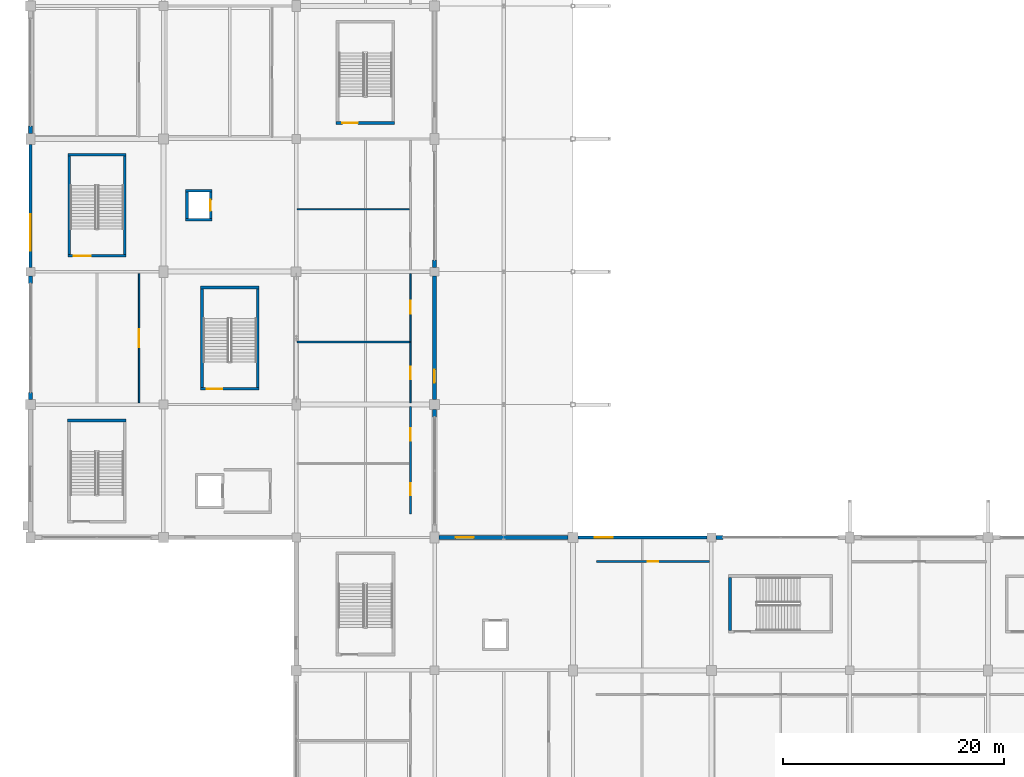
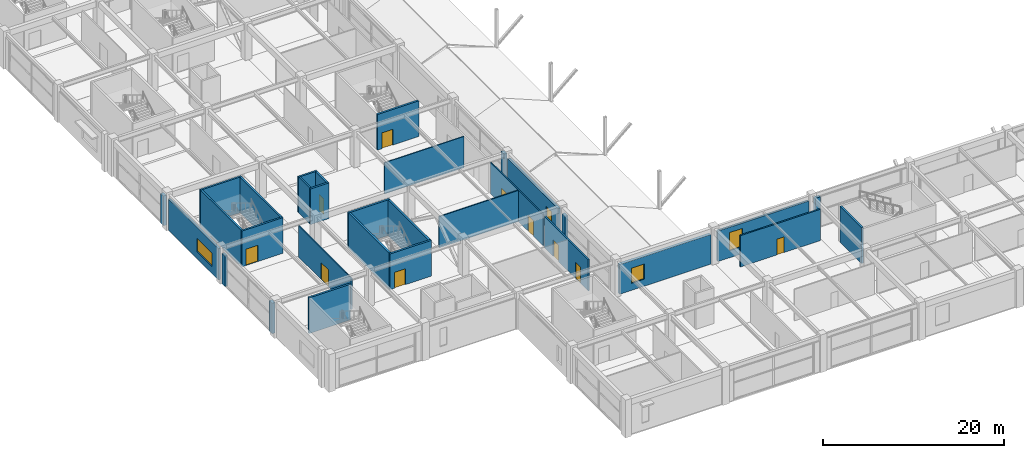
# One storey, part 67 of 116: 31 walls, 10 doors, 4 windows, 14 openings.
"""IFC4 building model written with IfcOpenShell, lengths in metres."""

from ifc_helpers import new_model, si_unit, direction, frame, frame_2d, origin, place, context, subcontext, project, spatial, rectangle, extrude, material, layer, layer_set, type_object, element, fill, save


model = new_model("IFC4")

# Units and contexts
model_context = context("Model", 3, precision=1e-05, world=origin(), true_north=direction((0.0, 1.0)))
body_context = subcontext(model_context, "Body", "Model", "MODEL_VIEW")
ifc_project = project(units=[si_unit("LENGTHUNIT", "METRE"), si_unit("AREAUNIT", "SQUARE_METRE"), si_unit("VOLUMEUNIT", "CUBIC_METRE"), si_unit("PLANEANGLEUNIT", "RADIAN"), si_unit("MASSUNIT", "GRAM", prefix="KILO")], contexts=[model_context])

# Site, building, storey
site_placement = place(None, origin())
site = spatial("IfcSite", under=ifc_project, at=site_placement, CompositionType="ELEMENT")
building_placement = place(site_placement, origin())
building = spatial("IfcBuilding", under=site, at=building_placement, Name="Kazenohara Klinker Stadium", CompositionType="ELEMENT")
storey_placement = place(building_placement, frame((0.0, 0.0, 10.199951171875)))
storey = spatial("IfcBuildingStorey", under=building, at=storey_placement, Name="L02", CompositionType="ELEMENT", Elevation=10.199951171875)

# Wall, opening, door
ifc_material_1 = material(Name="Concrete C40/50", Category="concrete")
ifc_layer_1 = layer(ifc_material_1, 0.22998046875)
ifc_layer_set_1 = layer_set([ifc_layer_1], Name="Concrete C40/50")
wall_type_1 = type_object("IfcWallType", Name="WAL-CORE-230", PredefinedType="SHEAR", material=ifc_layer_set_1)
wall_1_placement = place(storey_placement, frame((3.3701171875, 61.43505859375, 0.0), z_axis=(0.0, 0.0, 1.0), x_axis=(1.0, 0.0, 0.0)))
wall_1 = element("IfcWall", 1, at=wall_1_placement, inside=storey, type_object=wall_type_1, Name="Stairwell shear wall ST02 L02 South", PredefinedType="SHEAR", context=body_context, shape_type="SweptSolid", body=[
    extrude(rectangle(XDim=5.259765625, YDim=0.22998046875, at=frame_2d((2.6298828125, 0.0))), origin(), (0.0, 0.0, 1.0), 4.820068359375),
])
opening_1_placement = place(wall_1_placement, frame((0.550048828125, 0.0, 0.0)))
opening_1 = element("IfcOpeningElement", 2, at=opening_1_placement, cuts=wall_1, Name="Opening SD02", PredefinedType="OPENING", context=body_context, shape_type="SweptSolid", body=[
    extrude(rectangle(XDim=1.5, YDim=2.199951171875, at=frame_2d((0.75, 1.10009765625))), frame((0.0, 0.125, 0.0), z_axis=(0.0, -1.0, 0.0), x_axis=(1.0, 0.0, 0.0)), (0.0, 0.0, 1.0), 0.25),
])
ifc_material_2 = material(Name="Flush painted steel fire door leaf", Category="steel")
door_type_1 = type_object("IfcDoorType", Name="DR-STR-1500x2200", OperationType="NOTDEFINED", PredefinedType="DOOR", material=ifc_material_2)
door_1_placement = place(opening_1_placement, origin())
door_1 = element("IfcDoor", 3, at=door_1_placement, inside=storey, type_object=door_type_1, Name="Escape stairwell fire door ST02-L02", OperationType="SINGLE_SWING_LEFT", OverallHeight=2.199951171875, OverallWidth=1.5, PredefinedType="DOOR", context=body_context, shape_type="SweptSolid", body=[
    extrude(rectangle(XDim=1.5, YDim=2.199951171875, at=frame_2d((0.75, 1.10009765625))), frame((0.0, 0.02490234375, 0.0), z_axis=(0.0, -1.0, 0.0), x_axis=(1.0, 0.0, 0.0)), (0.0, 0.0, 1.0), 0.050048828125),
])
fill(opening_1, door_1)

# Walls
wall_2_placement = place(storey_placement, frame((3.3701171875, 70.56494140625, 0.0), z_axis=(0.0, 0.0, 1.0), x_axis=(1.0, 0.0, 0.0)))
element("IfcWall", 4, at=wall_2_placement, inside=storey, type_object=wall_type_1, Name="Stairwell shear wall ST02 L02 North", PredefinedType="SHEAR", context=body_context, shape_type="SweptSolid", body=[
    extrude(rectangle(XDim=5.259765625, YDim=0.22998046875, at=frame_2d((2.6298828125, 0.0))), origin(), (0.0, 0.0, 1.0), 4.820068359375),
])
for number, where, z_axis, x_axis, name in (
    (5, (3.485107421875, 61.550048828125, 0.0), (0.0, 0.0, 1.0), (0.0, 1.0, 0.0), "Stairwell shear wall ST02 L02 West"),
    (6, (8.514892578125, 61.550048828125, 0.0), (0.0, 0.0, 1.0), (0.0, 1.0, 0.0), "Stairwell shear wall ST02 L02 East"),
):
    element("IfcWall", number, at=place(storey_placement, frame(where, z_axis=z_axis, x_axis=x_axis)), inside=storey, type_object=wall_type_1, Name=name, PredefinedType="SHEAR", context=body_context, shape_type="SweptSolid", body=[
        extrude(rectangle(XDim=8.89990234375, YDim=0.22998046875, at=frame_2d((4.449951171875, 0.0))), origin(), (0.0, 0.0, 1.0), 4.820068359375),
    ])
for number, where, z_axis, x_axis, name in (
    (7, (14.02001953125, 64.68505859375, 0.0), (0.0, 0.0, 1.0), (1.0, 0.0, 0.0), "Elevator shaft wall LP01 L02 South"),
    (8, (14.02001953125, 67.31494140625, 0.0), (0.0, 0.0, 1.0), (1.0, 0.0, 0.0), "Elevator shaft wall LP01 L02 North"),
):
    element("IfcWall", number, at=place(storey_placement, frame(where, z_axis=z_axis, x_axis=x_axis)), inside=storey, type_object=wall_type_1, Name=name, PredefinedType="SHEAR", context=body_context, shape_type="SweptSolid", body=[
        extrude(rectangle(XDim=2.35986328125, YDim=0.22998046875, at=frame_2d((1.179931640625, 0.0))), origin(), (0.0, 0.0, 1.0), 4.820068359375),
    ])
wall_3_placement = place(storey_placement, frame((14.135009765625, 64.800048828125, 0.0), z_axis=(0.0, 0.0, 1.0), x_axis=(0.0, 1.0, 0.0)))
element("IfcWall", 9, at=wall_3_placement, inside=storey, type_object=wall_type_1, Name="Elevator shaft wall LP01 L02 West", PredefinedType="SHEAR", context=body_context, shape_type="SweptSolid", body=[
    extrude(rectangle(XDim=2.39990234375, YDim=0.22998046875, at=frame_2d((1.199951171875, 0.0))), origin(), (0.0, 0.0, 1.0), 4.820068359375),
])

# Wall, opening, door
wall_4_placement = place(storey_placement, frame((16.264892578125, 64.800048828125, 0.0), z_axis=(0.0, 0.0, 1.0), x_axis=(0.0, 1.0, 0.0)))
wall_4 = element("IfcWall", 10, at=wall_4_placement, inside=storey, type_object=wall_type_1, Name="Elevator shaft wall LP01 L02 East", PredefinedType="SHEAR", context=body_context, shape_type="SweptSolid", body=[
    extrude(rectangle(XDim=2.39990234375, YDim=0.22998046875, at=frame_2d((1.199951171875, 0.0))), origin(), (0.0, 0.0, 1.0), 4.820068359375),
])
opening_2_placement = place(wall_4_placement, frame((0.699951171875, 0.0, 0.0)))
opening_2 = element("IfcOpeningElement", 11, at=opening_2_placement, cuts=wall_4, Name="Opening LD02", PredefinedType="OPENING", context=body_context, shape_type="SweptSolid", body=[
    extrude(rectangle(XDim=1.0, YDim=2.14990234375, at=frame_2d((0.5, 1.074951171875))), frame((0.0, 0.125, 0.0), z_axis=(0.0, -1.0, 0.0), x_axis=(1.0, 0.0, 0.0)), (0.0, 0.0, 1.0), 0.25),
])
ifc_material_3 = material(Name="Stainless steel sliding landing door", Category="steel")
door_type_2 = type_object("IfcDoorType", Name="DR-LD02-1000x2150", OperationType="NOTDEFINED", PredefinedType="DOOR", material=ifc_material_3)
door_2_placement = place(opening_2_placement, origin())
door_2 = element("IfcDoor", 12, at=door_2_placement, inside=storey, type_object=door_type_2, Name="Elevator sliding landing door LP01-L02", OperationType="DOUBLE_DOOR_SLIDING", OverallHeight=2.14990234375, OverallWidth=1.0, PredefinedType="DOOR", context=body_context, shape_type="SweptSolid", body=[
    extrude(rectangle(XDim=1.0, YDim=2.14990234375, at=frame_2d((0.5, 1.074951171875))), frame((0.0, 0.02490234375, 0.0), z_axis=(0.0, -1.0, 0.0), x_axis=(1.0, 0.0, 0.0)), (0.0, 0.0, 1.0), 0.050048828125),
])
fill(opening_2, door_2)

# Wall
ifc_layer_2 = layer(ifc_material_1, 0.25)
ifc_layer_set_2 = layer_set([ifc_layer_2], Name="Concrete C40/50")
wall_type_2 = type_object("IfcWallType", Name="WAL-CORE-250", PredefinedType="SHEAR", material=ifc_layer_set_2)
wall_5_placement = place(storey_placement, frame((3.360107421875, 46.574951171875, 0.0), z_axis=(0.0, 0.0, 1.0), x_axis=(1.0, 0.0, 0.0)))
element("IfcWall", 13, at=wall_5_placement, inside=storey, type_object=wall_type_2, Name="Stairwell shear wall ST01 L02 North", PredefinedType="SHEAR", context=body_context, shape_type="SweptSolid", body=[
    extrude(rectangle(XDim=5.27978515625, YDim=0.25, at=frame_2d((2.639892578125, 0.0))), origin(), (0.0, 0.0, 1.0), 4.820068359375),
])

# Wall, opening, door
wall_6_placement = place(storey_placement, frame((15.360107421875, 49.425048828125, 0.0), z_axis=(0.0, 0.0, 1.0), x_axis=(1.0, 0.0, 0.0)))
wall_6 = element("IfcWall", 14, at=wall_6_placement, inside=storey, type_object=wall_type_2, Name="Stairwell shear wall ST13 L02 South", PredefinedType="SHEAR", context=body_context, shape_type="SweptSolid", body=[
    extrude(rectangle(XDim=5.27978515625, YDim=0.25, at=frame_2d((2.639892578125, 0.0))), origin(), (0.0, 0.0, 1.0), 4.820068359375),
])
opening_3_placement = place(wall_6_placement, frame((0.550048828125, 0.0, 0.0)))
opening_3 = element("IfcOpeningElement", 15, at=opening_3_placement, cuts=wall_6, Name="Opening SD01", PredefinedType="OPENING", context=body_context, shape_type="SweptSolid", body=[
    extrude(rectangle(XDim=1.39990234375, YDim=2.14990234375, at=frame_2d((0.699951171875, 1.074951171875))), frame((0.0, 0.135009765625, 0.0), z_axis=(0.0, -1.0, 0.0), x_axis=(1.0, 0.0, 0.0)), (0.0, 0.0, 1.0), 0.27001953125),
])
door_type_3 = type_object("IfcDoorType", Name="DR-STR-1400x2150", OperationType="NOTDEFINED", PredefinedType="DOOR", material=ifc_material_2)
door_3_placement = place(opening_3_placement, origin())
door_3 = element("IfcDoor", 16, at=door_3_placement, inside=storey, type_object=door_type_3, Name="Escape stairwell fire door ST13-L02", OperationType="SINGLE_SWING_LEFT", OverallHeight=2.14990234375, OverallWidth=1.39990234375, PredefinedType="DOOR", context=body_context, shape_type="SweptSolid", body=[
    extrude(rectangle(XDim=1.39990234375, YDim=2.14990234375, at=frame_2d((0.699951171875, 1.074951171875))), frame((0.0, 0.02490234375, 0.0), z_axis=(0.0, -1.0, 0.0), x_axis=(1.0, 0.0, 0.0)), (0.0, 0.0, 1.0), 0.050048828125),
])
fill(opening_3, door_3)

# Walls
wall_7_placement = place(storey_placement, frame((15.360107421875, 58.574951171875, 0.0), z_axis=(0.0, 0.0, 1.0), x_axis=(1.0, 0.0, 0.0)))
element("IfcWall", 17, at=wall_7_placement, inside=storey, type_object=wall_type_2, Name="Stairwell shear wall ST13 L02 North", PredefinedType="SHEAR", context=body_context, shape_type="SweptSolid", body=[
    extrude(rectangle(XDim=5.27978515625, YDim=0.25, at=frame_2d((2.639892578125, 0.0))), origin(), (0.0, 0.0, 1.0), 4.820068359375),
])
for number, where, z_axis, x_axis, name in (
    (18, (15.485107421875, 49.550048828125, 0.0), (0.0, 0.0, 1.0), (0.0, 1.0, 0.0), "Stairwell shear wall ST13 L02 West"),
    (19, (20.514892578125, 49.550048828125, 0.0), (0.0, 0.0, 1.0), (0.0, 1.0, 0.0), "Stairwell shear wall ST13 L02 East"),
):
    element("IfcWall", number, at=place(storey_placement, frame(where, z_axis=z_axis, x_axis=x_axis)), inside=storey, type_object=wall_type_2, Name=name, PredefinedType="SHEAR", context=body_context, shape_type="SweptSolid", body=[
        extrude(rectangle(XDim=8.89990234375, YDim=0.25, at=frame_2d((4.449951171875, 0.0))), origin(), (0.0, 0.0, 1.0), 4.820068359375),
    ])

# Wall, opening, door
wall_8_placement = place(storey_placement, frame((27.610107421875, 73.425048828125, 0.0), z_axis=(0.0, 0.0, 1.0), x_axis=(1.0, 0.0, 0.0)))
wall_8 = element("IfcWall", 20, at=wall_8_placement, inside=storey, type_object=wall_type_2, Name="Stairwell shear wall ST17 L02 South", PredefinedType="SHEAR", context=body_context, shape_type="SweptSolid", body=[
    extrude(rectangle(XDim=5.27978515625, YDim=0.25, at=frame_2d((2.639892578125, 0.0))), origin(), (0.0, 0.0, 1.0), 4.820068359375),
])
opening_4_placement = place(wall_8_placement, frame((0.550048828125, 0.0, 0.0)))
opening_4 = element("IfcOpeningElement", 21, at=opening_4_placement, cuts=wall_8, Name="Opening SD01", PredefinedType="OPENING", context=body_context, shape_type="SweptSolid", body=[
    extrude(rectangle(XDim=1.39990234375, YDim=2.14990234375, at=frame_2d((0.699951171875, 1.074951171875))), frame((0.0, 0.135009765625, 0.0), z_axis=(0.0, -1.0, 0.0), x_axis=(1.0, 0.0, 0.0)), (0.0, 0.0, 1.0), 0.27001953125),
])
door_4_placement = place(opening_4_placement, origin())
door_4 = element("IfcDoor", 22, at=door_4_placement, inside=storey, type_object=door_type_3, Name="Escape stairwell fire door ST17-L02", OperationType="SINGLE_SWING_LEFT", OverallHeight=2.14990234375, OverallWidth=1.39990234375, PredefinedType="DOOR", context=body_context, shape_type="SweptSolid", body=[
    extrude(rectangle(XDim=1.39990234375, YDim=2.14990234375, at=frame_2d((0.699951171875, 1.074951171875))), frame((0.0, 0.02490234375, 0.0), z_axis=(0.0, -1.0, 0.0), x_axis=(1.0, 0.0, 0.0)), (0.0, 0.0, 1.0), 0.050048828125),
])
fill(opening_4, door_4)

# Wall
wall_9_placement = place(storey_placement, frame((63.175048828125, 27.610107421875, 0.0), z_axis=(0.0, 0.0, 1.0), x_axis=(0.0, 1.0, 0.0)))
element("IfcWall", 23, at=wall_9_placement, inside=storey, type_object=wall_type_2, Name="Stairwell shear wall ST25 L02 West", PredefinedType="SHEAR", context=body_context, shape_type="SweptSolid", body=[
    extrude(rectangle(XDim=4.77978515625, YDim=0.25, at=frame_2d((2.389892578125, 0.0))), origin(), (0.0, 0.0, 1.0), 4.820068359375),
])

# Wall, opening, window
ifc_material_4 = material(Name="Clinker brick masonry", Category="masonry")
ifc_layer_3 = layer(ifc_material_4, 0.280029296875)
ifc_layer_set_3 = layer_set([ifc_layer_3], Name="Clinker brick masonry")
wall_type_3 = type_object("IfcWallType", Name="WAL-EXT-CB280", PredefinedType="SOLIDWALL", material=ifc_layer_set_3)
wall_10_placement = place(storey_placement, frame((0.0, 60.404052734375, 0.0), z_axis=(0.0, 0.0, 1.0), x_axis=(0.0, 1.0, 0.0)))
wall_10 = element("IfcWall", 24, at=wall_10_placement, inside=storey, type_object=wall_type_3, Name="Clinker brick cavity wall EW06 L02 Y0-5", PredefinedType="SOLIDWALL", context=body_context, shape_type="SweptSolid", body=[
    extrude(rectangle(XDim=11.092041015625, YDim=0.280029296875, at=frame_2d((5.5458984375, 0.0))), origin(), (0.0, 0.0, 1.0), 4.23193359375),
])
opening_5_placement = place(wall_10_placement, frame((1.5, 0.0, 0.949951171875)))
opening_5 = element("IfcOpeningElement", 25, at=opening_5_placement, cuts=wall_10, Name="Opening W33", PredefinedType="OPENING", context=body_context, shape_type="SweptSolid", body=[
    extrude(rectangle(XDim=3.300048828125, YDim=1.800048828125, at=frame_2d((1.64990234375, 0.89990234375))), frame((0.0, 0.14990234375, 0.0), z_axis=(0.0, -1.0, 0.0), x_axis=(1.0, 0.0, 0.0)), (0.0, 0.0, 1.0), 0.300048828125),
])
ifc_material_5 = material(Name="Dark bronze aluminium frame and triple glazing", Category="aluminium")
window_type_1 = type_object("IfcWindowType", Name="WIN-AS-33", PartitioningType="SINGLE_PANEL", PredefinedType="WINDOW", material=ifc_material_5)
window_1_placement = place(opening_5_placement, origin())
window_1 = element("IfcWindow", 26, at=window_1_placement, inside=storey, type_object=window_type_1, Name="Horizontal-mullion ladder window W33 L02 Y0-5", OverallHeight=1.800048828125, OverallWidth=3.300048828125, PartitioningType="SINGLE_PANEL", PredefinedType="WINDOW", context=body_context, shape_type="SweptSolid", body=[
    extrude(rectangle(XDim=3.300048828125, YDim=1.800048828125, at=frame_2d((1.64990234375, 0.89990234375))), frame((0.0, 0.030029296875, 0.0), z_axis=(0.0, -1.0, 0.0), x_axis=(1.0, 0.0, 0.0)), (0.0, 0.0, 1.0), 0.06005859375),
])
fill(opening_5, window_1)

wall_11_placement = place(storey_placement, frame((49.4541015625, 36.0, 0.0), z_axis=(0.0, 0.0, 1.0), x_axis=(1.0, 0.0, 0.0)))
wall_11 = element("IfcWall", 27, at=wall_11_placement, inside=storey, type_object=wall_type_3, Name="Clinker brick cavity wall EW06 L02 X4-3", PredefinedType="SOLIDWALL", context=body_context, shape_type="SweptSolid", body=[
    extrude(rectangle(XDim=11.641845703125, YDim=0.280029296875, at=frame_2d((5.82080078125, 0.0))), origin(), (0.0, 0.0, 1.0), 4.1201171875),
])
opening_6_placement = place(wall_11_placement, frame((1.5, 0.0, 0.949951171875)))
opening_6 = element("IfcOpeningElement", 28, at=opening_6_placement, cuts=wall_11, Name="Opening W12", PredefinedType="OPENING", context=body_context, shape_type="SweptSolid", body=[
    extrude(rectangle(XDim=1.64990234375, YDim=2.449951171875, at=frame_2d((0.824951171875, 1.22509765625))), frame((0.0, 0.14990234375, 0.0), z_axis=(0.0, -1.0, 0.0), x_axis=(1.0, 0.0, 0.0)), (0.0, 0.0, 1.0), 0.300048828125),
])
window_type_2 = type_object("IfcWindowType", Name="WIN-AS-12", PartitioningType="SINGLE_PANEL", PredefinedType="WINDOW", material=ifc_material_5)
window_2_placement = place(opening_6_placement, origin())
window_2 = element("IfcWindow", 29, at=window_2_placement, inside=storey, type_object=window_type_2, Name="Horizontal-mullion ladder window W12 L02 X4-3", OverallHeight=2.449951171875, OverallWidth=1.64990234375, PartitioningType="SINGLE_PANEL", PredefinedType="WINDOW", context=body_context, shape_type="SweptSolid", body=[
    extrude(rectangle(XDim=1.64990234375, YDim=2.449951171875, at=frame_2d((0.824951171875, 1.22509765625))), frame((0.0, 0.030029296875, 0.0), z_axis=(0.0, -1.0, 0.0), x_axis=(1.0, 0.0, 0.0)), (0.0, 0.0, 1.0), 0.06005859375),
])
fill(opening_6, window_2)

ifc_layer_4 = layer(ifc_material_4, 0.340087890625)
ifc_layer_set_4 = layer_set([ifc_layer_4], Name="Clinker brick masonry")
wall_type_4 = type_object("IfcWallType", Name="WAL-EXT-CB340", PredefinedType="SOLIDWALL", material=ifc_layer_set_4)
wall_12_placement = place(storey_placement, frame((36.5, 48.4541015625, 0.0), z_axis=(0.0, 0.0, 1.0), x_axis=(0.0, 1.0, 0.0)))
wall_12 = element("IfcWall", 30, at=wall_12_placement, inside=storey, type_object=wall_type_4, Name="Clinker brick cavity wall EW04 L02 Y3-4", PredefinedType="SOLIDWALL", context=body_context, shape_type="SweptSolid", body=[
    extrude(rectangle(XDim=11.141845703125, YDim=0.340087890625, at=frame_2d((5.57080078125, 0.0))), origin(), (0.0, 0.0, 1.0), 4.1201171875),
])
opening_7_placement = place(wall_12_placement, frame((1.5, 0.0, 0.949951171875)))
opening_7 = element("IfcOpeningElement", 31, at=opening_7_placement, cuts=wall_12, Name="Opening W05", PredefinedType="OPENING", context=body_context, shape_type="SweptSolid", body=[
    extrude(rectangle(XDim=1.199951171875, YDim=1.89990234375, at=frame_2d((0.60009765625, 0.949951171875))), frame((0.0, 0.18017578125, 0.0), z_axis=(0.0, -1.0, 0.0), x_axis=(1.0, 0.0, 0.0)), (0.0, 0.0, 1.0), 0.360107421875),
])
window_type_3 = type_object("IfcWindowType", Name="WIN-AS-05", PartitioningType="SINGLE_PANEL", PredefinedType="WINDOW", material=ifc_material_5)
window_3_placement = place(opening_7_placement, origin())
window_3 = element("IfcWindow", 32, at=window_3_placement, inside=storey, type_object=window_type_3, Name="Horizontal-mullion ladder window W05 L02 Y3-4", OverallHeight=1.89990234375, OverallWidth=1.199951171875, PartitioningType="SINGLE_PANEL", PredefinedType="WINDOW", context=body_context, shape_type="SweptSolid", body=[
    extrude(rectangle(XDim=1.199951171875, YDim=1.89990234375, at=frame_2d((0.60009765625, 0.949951171875))), frame((0.0, 0.030029296875, 0.0), z_axis=(0.0, -1.0, 0.0), x_axis=(1.0, 0.0, 0.0)), (0.0, 0.0, 1.0), 0.06005859375),
])
fill(opening_7, window_3)

wall_13_placement = place(storey_placement, frame((36.904052734375, 36.0, 0.0), z_axis=(0.0, 0.0, 1.0), x_axis=(1.0, 0.0, 0.0)))
wall_13 = element("IfcWall", 33, at=wall_13_placement, inside=storey, type_object=wall_type_4, Name="Clinker brick cavity wall EW04 L02 X3-3", PredefinedType="SOLIDWALL", context=body_context, shape_type="SweptSolid", body=[
    extrude(rectangle(XDim=11.641845703125, YDim=0.340087890625, at=frame_2d((5.82080078125, 0.0))), origin(), (0.0, 0.0, 1.0), 4.02001953125),
])
opening_8_placement = place(wall_13_placement, frame((1.5, 0.0, 0.949951171875)))
opening_8 = element("IfcOpeningElement", 34, at=opening_8_placement, cuts=wall_13, Name="Opening W11", PredefinedType="OPENING", context=body_context, shape_type="SweptSolid", body=[
    extrude(rectangle(XDim=1.64990234375, YDim=2.050048828125, at=frame_2d((0.824951171875, 1.02490234375))), frame((0.0, 0.18017578125, 0.0), z_axis=(0.0, -1.0, 0.0), x_axis=(1.0, 0.0, 0.0)), (0.0, 0.0, 1.0), 0.360107421875),
])
window_type_4 = type_object("IfcWindowType", Name="WIN-AS-11", PartitioningType="SINGLE_PANEL", PredefinedType="WINDOW", material=ifc_material_5)
window_4_placement = place(opening_8_placement, origin())
window_4 = element("IfcWindow", 35, at=window_4_placement, inside=storey, type_object=window_type_4, Name="Horizontal-mullion ladder window W11 L02 X3-3", OverallHeight=2.050048828125, OverallWidth=1.64990234375, PartitioningType="SINGLE_PANEL", PredefinedType="WINDOW", context=body_context, shape_type="SweptSolid", body=[
    extrude(rectangle(XDim=1.64990234375, YDim=2.050048828125, at=frame_2d((0.824951171875, 1.02490234375))), frame((0.0, 0.030029296875, 0.0), z_axis=(0.0, -1.0, 0.0), x_axis=(1.0, 0.0, 0.0)), (0.0, 0.0, 1.0), 0.06005859375),
])
fill(opening_8, window_4)

# Walls
ifc_layer_5 = layer(ifc_material_4, 0.3701171875)
ifc_layer_set_5 = layer_set([ifc_layer_5], Name="Clinker brick masonry")
wall_type_5 = type_object("IfcWallType", Name="WAL-EXT-CB370", PredefinedType="SOLIDWALL", material=ifc_layer_set_5)
for number, where, z_axis, x_axis, name in (
    (36, (0.0, 48.4541015625, 0.0), (0.0, 0.0, 1.0), (0.0, 1.0, 0.0), "Clinker brick curtain-wall jamb pier L02 Y0-4 A"),
    (37, (0.0, 58.946044921875, 0.0), (0.0, 0.0, 1.0), (0.0, 1.0, 0.0), "Clinker brick curtain-wall jamb pier L02 Y0-4 B"),
):
    element("IfcWall", number, at=place(storey_placement, frame(where, z_axis=z_axis, x_axis=x_axis)), inside=storey, type_object=wall_type_5, Name=name, PredefinedType="SOLIDWALL", context=body_context, shape_type="SweptSolid", body=[
        extrude(rectangle(XDim=0.64990234375, YDim=0.3701171875, at=frame_2d((0.324951171875, 0.0))), origin(), (0.0, 0.0, 1.0), 4.1201171875),
    ])
wall_14_placement = place(storey_placement, frame((0.0, 72.50390625, 0.0), z_axis=(0.0, 0.0, 1.0), x_axis=(0.0, 1.0, 0.0)))
element("IfcWall", 38, at=wall_14_placement, inside=storey, type_object=wall_type_5, Name="Clinker brick curtain-wall jamb pier L02 Y0-6 A", PredefinedType="SOLIDWALL", context=body_context, shape_type="SweptSolid", body=[
    extrude(rectangle(XDim=0.650146484375, YDim=0.3701171875, at=frame_2d((0.3251953125, 0.0))), origin(), (0.0, 0.0, 1.0), 4.02001953125),
])
wall_15_placement = place(storey_placement, frame((36.5, 46.89599609375, 0.0), z_axis=(0.0, 0.0, 1.0), x_axis=(0.0, 1.0, 0.0)))
element("IfcWall", 39, at=wall_15_placement, inside=storey, type_object=wall_type_5, Name="Clinker brick curtain-wall jamb pier L02 Y3-3 B", PredefinedType="SOLIDWALL", context=body_context, shape_type="SweptSolid", body=[
    extrude(rectangle(XDim=0.64990234375, YDim=0.3701171875, at=frame_2d((0.324951171875, 0.0))), origin(), (0.0, 0.0, 1.0), 4.02001953125),
])
wall_16_placement = place(storey_placement, frame((36.5, 60.404052734375, 0.0), z_axis=(0.0, 0.0, 1.0), x_axis=(0.0, 1.0, 0.0)))
element("IfcWall", 40, at=wall_16_placement, inside=storey, type_object=wall_type_5, Name="Clinker brick curtain-wall jamb pier L02 Y3-5 A", PredefinedType="SOLIDWALL", context=body_context, shape_type="SweptSolid", body=[
    extrude(rectangle(XDim=0.64990234375, YDim=0.3701171875, at=frame_2d((0.324951171875, 0.0))), origin(), (0.0, 0.0, 1.0), 4.23193359375),
])
wall_17_placement = place(storey_placement, frame((61.904052734375, 36.0, 0.0), z_axis=(0.0, 0.0, 1.0), x_axis=(1.0, 0.0, 0.0)))
element("IfcWall", 41, at=wall_17_placement, inside=storey, type_object=wall_type_5, Name="Clinker brick curtain-wall jamb pier L02 X5-3 A", PredefinedType="SOLIDWALL", context=body_context, shape_type="SweptSolid", body=[
    extrude(rectangle(XDim=0.64990234375, YDim=0.3701171875, at=frame_2d((0.324951171875, 0.0))), origin(), (0.0, 0.0, 1.0), 4.219970703125),
])
ifc_material_6 = material(Name="Fire-rated gypsum board on acoustic studs", Category="gypsum")
ifc_layer_6 = layer(ifc_material_6, 0.110107421875)
ifc_layer_set_6 = layer_set([ifc_layer_6], Name="Fire-rated gypsum board on acoustic studs")
wall_type_6 = type_object("IfcWallType", Name="WAL-INT-P110", PredefinedType="PARTITIONING", material=ifc_layer_set_6)
wall_18_placement = place(storey_placement, frame((24.080078125, 65.649658203125, 0.0), z_axis=(0.0, 0.0, 1.0), x_axis=(1.0, 0.0, 0.0)))
element("IfcWall", 42, at=wall_18_placement, inside=storey, type_object=wall_type_6, Name="Interior partition wall PT01 SPC-L02-02-05-1-2", PredefinedType="PARTITIONING", context=body_context, shape_type="SweptSolid", body=[
    extrude(rectangle(XDim=10.1298828125, YDim=0.110107421875, at=frame_2d((5.06494140625, 0.0))), origin(), (0.0, 0.0, 1.0), 4.219970703125),
])

# Wall, opening, door
ifc_layer_7 = layer(ifc_material_6, 0.139892578125)
ifc_layer_set_7 = layer_set([ifc_layer_7], Name="Fire-rated gypsum board on acoustic studs")
wall_type_7 = type_object("IfcWallType", Name="WAL-INT-P140", PredefinedType="PARTITIONING", material=ifc_layer_set_7)
wall_19_placement = place(storey_placement, frame((9.81005859375, 48.159912109375, 0.0), z_axis=(0.0, 0.0, 1.0), x_axis=(0.0, 1.0, 0.0)))
wall_19 = element("IfcWall", 43, at=wall_19_placement, inside=storey, type_object=wall_type_7, Name="Interior partition wall PT03 SPC-L02-00-04-1-1", PredefinedType="PARTITIONING", context=body_context, shape_type="SweptSolid", body=[
    extrude(rectangle(XDim=11.68017578125, YDim=0.139892578125, at=frame_2d((5.840087890625, 0.0))), origin(), (0.0, 0.0, 1.0), 4.219970703125),
])
opening_9_placement = place(wall_19_placement, frame((5.014892578125, 0.0, 0.0)))
opening_9 = element("IfcOpeningElement", 44, at=opening_9_placement, cuts=wall_19, Name="Opening ID24", PredefinedType="OPENING", context=body_context, shape_type="SweptSolid", body=[
    extrude(rectangle(XDim=1.64990234375, YDim=2.280029296875, at=frame_2d((0.824951171875, 1.14013671875))), frame((0.0, 0.080078125, 0.0), z_axis=(0.0, -1.0, 0.0), x_axis=(1.0, 0.0, 0.0)), (0.0, 0.0, 1.0), 0.159912109375),
])
ifc_material_7 = material(Name="Painted steel plant fire door", Category="steel")
door_type_4 = type_object("IfcDoorType", Name="DR-INT-24", OperationType="NOTDEFINED", PredefinedType="DOOR", material=ifc_material_7)
door_5_placement = place(opening_9_placement, origin())
door_5 = element("IfcDoor", 45, at=door_5_placement, inside=storey, type_object=door_type_4, Name="Interior door ID24 Club Level Sommelier Wine Bar L02-0004A", OperationType="SINGLE_SWING_LEFT", OverallHeight=2.280029296875, OverallWidth=1.64990234375, PredefinedType="DOOR", context=body_context, shape_type="SweptSolid", body=[
    extrude(rectangle(XDim=1.64990234375, YDim=2.280029296875, at=frame_2d((0.824951171875, 1.14013671875))), frame((0.0, 0.02490234375, 0.0), z_axis=(0.0, -1.0, 0.0), x_axis=(1.0, 0.0, 0.0)), (0.0, 0.0, 1.0), 0.050048828125),
])
fill(opening_9, door_5)

# Wall, openings, doors
wall_20_placement = place(storey_placement, frame((34.31005859375, 48.159912109375, 0.0), z_axis=(0.0, 0.0, 1.0), x_axis=(0.0, 1.0, 0.0)))
wall_20 = element("IfcWall", 46, at=wall_20_placement, inside=storey, type_object=wall_type_7, Name="Interior partition wall PT03 SPC-L02-02-04-1-1", PredefinedType="PARTITIONING", context=body_context, shape_type="SweptSolid", body=[
    extrude(rectangle(XDim=11.68017578125, YDim=0.139892578125, at=frame_2d((5.840087890625, 0.0))), origin(), (0.0, 0.0, 1.0), 4.219970703125),
])
opening_10_placement = place(wall_20_placement, frame((2.1298828125, 0.0, 0.0)))
opening_10 = element("IfcOpeningElement", 47, at=opening_10_placement, cuts=wall_20, Name="Opening ID10", PredefinedType="OPENING", context=body_context, shape_type="SweptSolid", body=[
    extrude(rectangle(XDim=1.14990234375, YDim=2.14990234375, at=frame_2d((0.574951171875, 1.074951171875))), frame((0.0, 0.080078125, 0.0), z_axis=(0.0, -1.0, 0.0), x_axis=(1.0, 0.0, 0.0)), (0.0, 0.0, 1.0), 0.159912109375),
])
opening_11_placement = place(wall_20_placement, frame((8.034912109375, 0.0, 0.0)))
opening_11 = element("IfcOpeningElement", 48, at=opening_11_placement, cuts=wall_20, Name="Opening ID11", PredefinedType="OPENING", context=body_context, shape_type="SweptSolid", body=[
    extrude(rectangle(XDim=1.179931640625, YDim=2.199951171875, at=frame_2d((0.58984375, 1.10009765625))), frame((0.0, 0.080078125, 0.0), z_axis=(0.0, -1.0, 0.0), x_axis=(1.0, 0.0, 0.0)), (0.0, 0.0, 1.0), 0.159912109375),
])
ifc_material_8 = material(Name="Solid-core Hokkaido oak fire door", Category="wood")
door_type_5 = type_object("IfcDoorType", Name="DR-INT-10", OperationType="NOTDEFINED", PredefinedType="DOOR", material=ifc_material_8)
door_6_placement = place(opening_10_placement, origin())
door_6 = element("IfcDoor", 49, at=door_6_placement, inside=storey, type_object=door_type_5, Name="Interior door ID10 Civic Sports Archive Reading Room L02-0204A", OperationType="SINGLE_SWING_LEFT", OverallHeight=2.14990234375, OverallWidth=1.14990234375, PredefinedType="DOOR", context=body_context, shape_type="SweptSolid", body=[
    extrude(rectangle(XDim=1.14990234375, YDim=2.14990234375, at=frame_2d((0.574951171875, 1.074951171875))), frame((0.0, 0.02490234375, 0.0), z_axis=(0.0, -1.0, 0.0), x_axis=(1.0, 0.0, 0.0)), (0.0, 0.0, 1.0), 0.050048828125),
])
fill(opening_10, door_6)
door_type_6 = type_object("IfcDoorType", Name="DR-INT-11", OperationType="NOTDEFINED", PredefinedType="DOOR", material=ifc_material_8)
door_7_placement = place(opening_11_placement, origin())
door_7 = element("IfcDoor", 50, at=door_7_placement, inside=storey, type_object=door_type_6, Name="Interior door ID11 Founders Club Hospitality Lounge L02-0204B", OperationType="SINGLE_SWING_RIGHT", OverallHeight=2.199951171875, OverallWidth=1.179931640625, PredefinedType="DOOR", context=body_context, shape_type="SweptSolid", body=[
    extrude(rectangle(XDim=1.179931640625, YDim=2.199951171875, at=frame_2d((0.58984375, 1.10009765625))), frame((0.0, 0.02490234375, 0.0), z_axis=(0.0, -1.0, 0.0), x_axis=(1.0, 0.0, 0.0)), (0.0, 0.0, 1.0), 0.050048828125),
])
fill(opening_11, door_7)

# Wall
ifc_layer_8 = layer(ifc_material_6, 0.14990234375)
ifc_layer_set_8 = layer_set([ifc_layer_8], Name="Fire-rated gypsum board on acoustic studs")
wall_type_8 = type_object("IfcWallType", Name="WAL-INT-P150", PredefinedType="PARTITIONING", material=ifc_layer_set_8)
wall_21_placement = place(storey_placement, frame((24.080078125, 53.649658203125, 0.0), z_axis=(0.0, 0.0, 1.0), x_axis=(1.0, 0.0, 0.0)))
element("IfcWall", 51, at=wall_21_placement, inside=storey, type_object=wall_type_8, Name="Interior partition wall PT04 SPC-L02-02-04-1-2", PredefinedType="PARTITIONING", context=body_context, shape_type="SweptSolid", body=[
    extrude(rectangle(XDim=10.155029296875, YDim=0.14990234375, at=frame_2d((5.07763671875, 0.0))), origin(), (0.0, 0.0, 1.0), 4.219970703125),
])

# Wall, openings, doors
ifc_layer_9 = layer(ifc_material_6, 0.18994140625)
ifc_layer_set_9 = layer_set([ifc_layer_9], Name="Fire-rated gypsum board on acoustic studs")
wall_type_9 = type_object("IfcWallType", Name="WAL-INT-P190", PredefinedType="PARTITIONING", material=ifc_layer_set_9)
wall_22_placement = place(storey_placement, frame((34.31005859375, 38.1201171875, 0.0), z_axis=(0.0, 0.0, 1.0), x_axis=(0.0, 1.0, 0.0)))
wall_22 = element("IfcWall", 52, at=wall_22_placement, inside=storey, type_object=wall_type_9, Name="Interior partition wall PT06 SPC-L02-02-03-1-1", PredefinedType="PARTITIONING", context=body_context, shape_type="SweptSolid", body=[
    extrude(rectangle(XDim=9.719970703125, YDim=0.18994140625, at=frame_2d((4.85986328125, 0.0))), origin(), (0.0, 0.0, 1.0), 4.219970703125),
])
opening_12_placement = place(wall_22_placement, frame((1.69921875, 0.0, 0.0)))
opening_12 = element("IfcOpeningElement", 53, at=opening_12_placement, cuts=wall_22, Name="Opening ID08", PredefinedType="OPENING", context=body_context, shape_type="SweptSolid", body=[
    extrude(rectangle(XDim=1.090087890625, YDim=2.159912109375, at=frame_2d((0.544921875, 1.080078125))), frame((0.0, 0.10498046875, 0.0), z_axis=(0.0, -1.0, 0.0), x_axis=(1.0, 0.0, 0.0)), (0.0, 0.0, 1.0), 0.2099609375),
])
opening_13_placement = place(wall_22_placement, frame((6.624267578125, 0.0, 0.0)))
opening_13 = element("IfcOpeningElement", 54, at=opening_13_placement, cuts=wall_22, Name="Opening ID09", PredefinedType="OPENING", context=body_context, shape_type="SweptSolid", body=[
    extrude(rectangle(XDim=1.1201171875, YDim=2.179931640625, at=frame_2d((0.56005859375, 1.08984375))), frame((0.0, 0.10498046875, 0.0), z_axis=(0.0, -1.0, 0.0), x_axis=(1.0, 0.0, 0.0)), (0.0, 0.0, 1.0), 0.2099609375),
])
door_type_7 = type_object("IfcDoorType", Name="DR-INT-08", OperationType="NOTDEFINED", PredefinedType="DOOR", material=ifc_material_8)
door_8_placement = place(opening_12_placement, origin())
door_8 = element("IfcDoor", 55, at=door_8_placement, inside=storey, type_object=door_type_7, Name="Interior door ID08 Sapporo Autumn Banquet Hall L02-0203A", OperationType="SINGLE_SWING_LEFT", OverallHeight=2.159912109375, OverallWidth=1.090087890625, PredefinedType="DOOR", context=body_context, shape_type="SweptSolid", body=[
    extrude(rectangle(XDim=1.090087890625, YDim=2.159912109375, at=frame_2d((0.544921875, 1.080078125))), frame((0.0, 0.02490234375, 0.0), z_axis=(0.0, -1.0, 0.0), x_axis=(1.0, 0.0, 0.0)), (0.0, 0.0, 1.0), 0.050048828125),
])
fill(opening_12, door_8)
door_type_8 = type_object("IfcDoorType", Name="DR-INT-09", OperationType="NOTDEFINED", PredefinedType="DOOR", material=ifc_material_8)
door_9_placement = place(opening_13_placement, origin())
door_9 = element("IfcDoor", 56, at=door_9_placement, inside=storey, type_object=door_type_8, Name="Interior door ID09 Hospitality Culinary Catering Kitchen L02-0203B", OperationType="SINGLE_SWING_RIGHT", OverallHeight=2.179931640625, OverallWidth=1.1201171875, PredefinedType="DOOR", context=body_context, shape_type="SweptSolid", body=[
    extrude(rectangle(XDim=1.1201171875, YDim=2.179931640625, at=frame_2d((0.56005859375, 1.08984375))), frame((0.0, 0.02490234375, 0.0), z_axis=(0.0, -1.0, 0.0), x_axis=(1.0, 0.0, 0.0)), (0.0, 0.0, 1.0), 0.050048828125),
])
fill(opening_13, door_9)

# Wall, opening, door
wall_23_placement = place(storey_placement, frame((51.1201171875, 33.81005859375, 0.0), z_axis=(0.0, 0.0, 1.0), x_axis=(1.0, 0.0, 0.0)))
wall_23 = element("IfcWall", 57, at=wall_23_placement, inside=storey, type_object=wall_type_9, Name="Interior partition wall PT06 SPC-L02-04-02-1-1", PredefinedType="PARTITIONING", context=body_context, shape_type="SweptSolid", body=[
    extrude(rectangle(XDim=10.219970703125, YDim=0.18994140625, at=frame_2d((5.10986328125, 0.0))), origin(), (0.0, 0.0, 1.0), 4.219970703125),
])
opening_14_placement = place(wall_23_placement, frame((5.5849609375, 0.0, 0.0), z_axis=(0.0, 0.0, 1.0), x_axis=(-1.0, 0.0, 0.0)))
opening_14 = element("IfcOpeningElement", 58, at=opening_14_placement, cuts=wall_23, Name="Opening ID03", PredefinedType="OPENING", context=body_context, shape_type="SweptSolid", body=[
    extrude(rectangle(XDim=0.949951171875, YDim=2.1201171875, at=frame_2d((0.47509765625, 1.06005859375))), frame((0.0, 0.10498046875, 0.0), z_axis=(0.0, -1.0, 0.0), x_axis=(1.0, 0.0, 0.0)), (0.0, 0.0, 1.0), 0.2099609375),
])
door_type_9 = type_object("IfcDoorType", Name="DR-INT-03", OperationType="NOTDEFINED", PredefinedType="DOOR", material=ifc_material_8)
door_10_placement = place(opening_14_placement, origin())
door_10 = element("IfcDoor", 59, at=door_10_placement, inside=storey, type_object=door_type_9, Name="Interior door ID03 Founders Club Hospitality Lounge L02-0402A", OperationType="SINGLE_SWING_RIGHT", OverallHeight=2.1201171875, OverallWidth=0.949951171875, PredefinedType="DOOR", context=body_context, shape_type="SweptSolid", body=[
    extrude(rectangle(XDim=0.949951171875, YDim=2.1201171875, at=frame_2d((0.47509765625, 1.06005859375))), frame((0.0, 0.02490234375, 0.0), z_axis=(0.0, -1.0, 0.0), x_axis=(1.0, 0.0, 0.0)), (0.0, 0.0, 1.0), 0.050048828125),
])
fill(opening_14, door_10)

save(model, "model.ifc")
